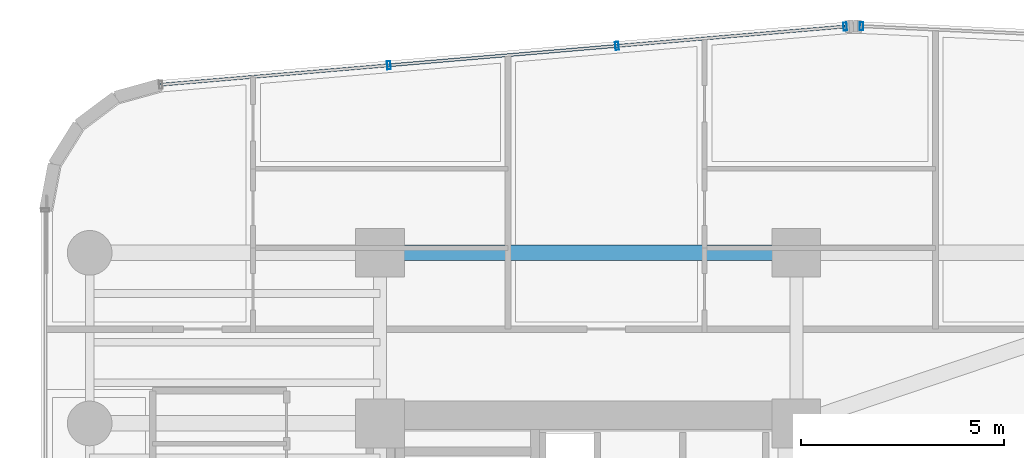
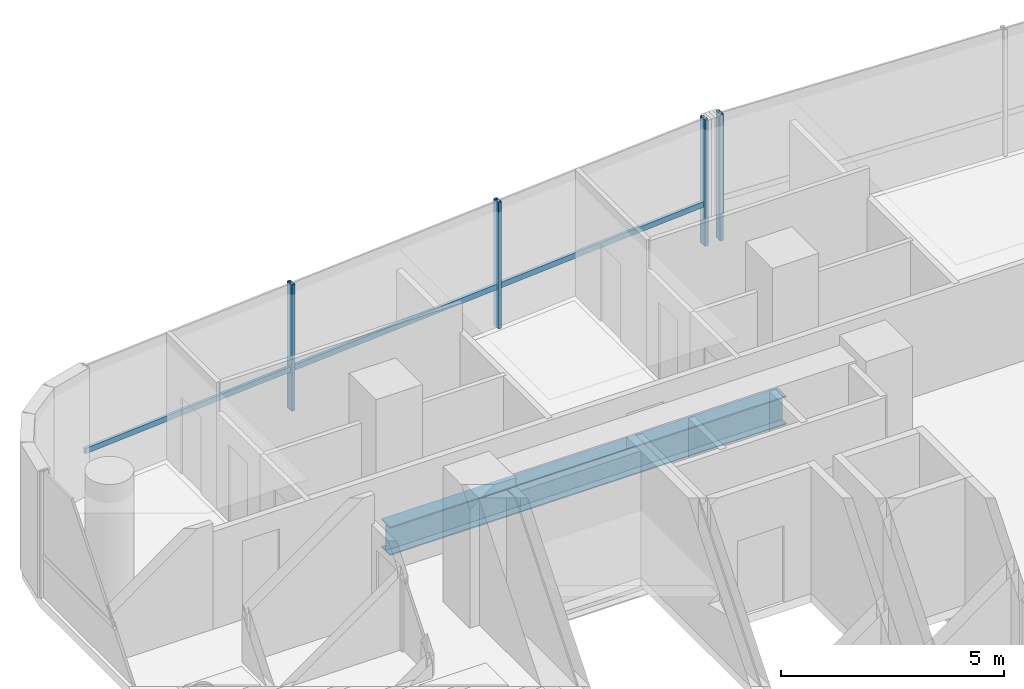
# One storey, part 21 of 38: 5 members, 1 beam, 2 elements without a shape of their own.
"""IFC4 building model written with IfcOpenShell, lengths in metres."""

from ifc_helpers import new_model, si_unit, direction, frame, origin, origin_2d, place, context, subcontext, project, spatial, hollow_rectangle, i_section, extrude, source, transform, mapped, material, material_profile, profile_set, type_object, element, aggregate, save


model = new_model("IFC4")

# Units and contexts
model_context = context("Model", 3, precision=1e-05, world=origin(), true_north=direction((0.0, 1.0)))
body_context = subcontext(model_context, "Body", "Model", "MODEL_VIEW")
ifc_project = project(units=[si_unit("LENGTHUNIT", "METRE"), si_unit("AREAUNIT", "SQUARE_METRE"), si_unit("VOLUMEUNIT", "CUBIC_METRE"), si_unit("PLANEANGLEUNIT", "RADIAN"), si_unit("MASSUNIT", "GRAM", prefix="KILO")], contexts=[model_context])

# Site, building, storey
site_placement = place(None, origin())
site = spatial("IfcSite", under=ifc_project, at=site_placement, CompositionType="ELEMENT")
building_placement = place(site_placement, origin())
building = spatial("IfcBuilding", under=site, at=building_placement, Name="Valdorenza Pilgrim Sanctuary Tower", CompositionType="ELEMENT")
storey_placement = place(building_placement, frame((0.0, 0.0, 131.60009765625)))
storey = spatial("IfcBuildingStorey", under=building, at=storey_placement, Name="L33", CompositionType="ELEMENT", Elevation=131.60009765625)

# Beam
ifc_material_1 = material(Name="Steel ASTM A992 Grade 50", Category="steel")
ifc_material_profile_1 = material_profile(ifc_material_1, i_section(OverallWidth=0.382080078125, OverallDepth=0.779052734375, WebThickness=0.01806640625, FlangeThickness=0.030029296875, at=origin_2d()), Name="W30X191")
ifc_profile_set_1 = profile_set([ifc_material_profile_1], Name="Steel ASTM A992 Grade 50")
beam_type = type_object("IfcBeamType", Name="STR-BM-GRD-W30", PredefinedType="BEAM", material=ifc_profile_set_1)
shared_shape_1 = source(origin(), body_context, "Body", "SweptSolid", [
    extrude(i_section(OverallWidth=0.382080078125, OverallDepth=0.779052734375, WebThickness=0.01806640625, FlangeThickness=0.030029296875, at=origin_2d()), origin(), (0.0, 0.0, 1.0), 10.25),
])
beam_placement = place(storey_placement, frame((-22.64990234375, 14.800048828125, -0.629638671875), z_axis=(1.0, 0.0, 0.0), x_axis=(0.0, 1.0, 0.0)))
element("IfcBeam", 1, at=beam_placement, inside=storey, type_object=beam_type, Name="L33 Floor Girder CA-XC-N2", PredefinedType="BEAM", context=body_context, shape_type="MappedRepresentation", body=[
    mapped(shared_shape_1, transform((0.0, 0.0, 0.0), x_axis=(1.0, 0.0, 0.0), y_axis=(0.0, 1.0, 0.0), z_axis=(0.0, 0.0, 1.0), scale=1.0)),
])

# Curtain wall, members
ifc_material_2 = material(Name="Curtain-wall IGU glazing", Category="glass")
curtain_wall_type = type_object("IfcCurtainWallType", Name="CW-SYS-02", PredefinedType="NOTDEFINED", material=ifc_material_2)
curtain_wall_1_placement = place(storey_placement, origin())
curtain_wall_1 = element("IfcCurtainWall", 2, at=curtain_wall_1_placement, inside=storey, type_object=curtain_wall_type, Name="L33 Curtain Wall CW-L33-1-6", PredefinedType="NOTDEFINED")
ifc_material_3 = material(Name="Anodised aluminium AW-6060", Category="aluminium")
ifc_material_profile_2 = material_profile(ifc_material_3, hollow_rectangle(XDim=0.0849609375, YDim=0.199951171875, WallThickness=0.0048828125, at=origin_2d()), Name="ALU-M 200x85x5")
ifc_profile_set_2 = profile_set([ifc_material_profile_2], Name="Anodised aluminium AW-6060")
member_type_1 = type_object("IfcMemberType", Name="CW-MUL-02", PredefinedType="MULLION", material=ifc_profile_set_2)
shared_shape_2 = source(origin(), body_context, "Body", "SweptSolid", [
    extrude(hollow_rectangle(XDim=0.0849609375, YDim=0.199951171875, WallThickness=0.0048828125, at=origin_2d()), origin(), (0.0, 0.0, 1.0), 3.4599609375),
])
member_1_placement = place(storey_placement, frame((-22.43408203125, 19.417724609375, 0.0), z_axis=(0.0, 0.0, 1.0), x_axis=(0.99640764237, 0.084686541006, 0.0)))
member_1 = element("IfcMember", 3, at=member_1_placement, type_object=member_type_1, Name="CW-L33-1-6 Mullion 2", PredefinedType="MULLION", context=body_context, shape_type="MappedRepresentation", body=[
    mapped(shared_shape_2, transform((0.0, 0.0, 0.0), x_axis=(1.0, 0.0, 0.0), y_axis=(0.0, 1.0, 0.0), z_axis=(0.0, 0.0, 1.0), scale=1.0)),
])
member_2_placement = place(storey_placement, frame((-16.81689453125, 19.895263671875, 0.0), z_axis=(0.0, 0.0, 1.0), x_axis=(0.99640764237, 0.084686541006, 0.0)))
member_2 = element("IfcMember", 4, at=member_2_placement, type_object=member_type_1, Name="CW-L33-1-6 Mullion 3", PredefinedType="MULLION", context=body_context, shape_type="MappedRepresentation", body=[
    mapped(shared_shape_2, transform((0.0, 0.0, 0.0), x_axis=(1.0, 0.0, 0.0), y_axis=(0.0, 1.0, 0.0), z_axis=(0.0, 0.0, 1.0), scale=1.0)),
])
member_3_placement = place(storey_placement, frame((-11.199462890625, 20.37255859375, 0.0), z_axis=(0.0, 0.0, 1.0), x_axis=(0.99640764237, 0.084686541006, 0.0)))
member_3 = element("IfcMember", 5, at=member_3_placement, type_object=member_type_1, Name="CW-L33-1-6 Mullion 4", PredefinedType="MULLION", context=body_context, shape_type="MappedRepresentation", body=[
    mapped(shared_shape_2, transform((0.0, 0.0, 0.0), x_axis=(1.0, 0.0, 0.0), y_axis=(0.0, 1.0, 0.0), z_axis=(0.0, 0.0, 1.0), scale=1.0)),
])

# Curtain wall, member
curtain_wall_2_placement = place(storey_placement, origin())
curtain_wall_2 = element("IfcCurtainWall", 6, at=curtain_wall_2_placement, inside=storey, type_object=curtain_wall_type, Name="L33 Curtain Wall CW-L33-1-11", PredefinedType="NOTDEFINED")
member_4_placement = place(storey_placement, frame((-10.795654296875, 20.380615234375, 0.0), z_axis=(0.0, 0.0, 1.0), x_axis=(0.998968193221, -0.045415294044, 0.0)))
member_4 = element("IfcMember", 7, at=member_4_placement, type_object=member_type_1, Name="CW-L33-1-11 Mullion 1", PredefinedType="MULLION", context=body_context, shape_type="MappedRepresentation", body=[
    mapped(shared_shape_2, transform((0.0, 0.0, 0.0), x_axis=(1.0, 0.0, 0.0), y_axis=(0.0, 1.0, 0.0), z_axis=(0.0, 0.0, 1.0), scale=1.0)),
])
aggregate(curtain_wall_2, [member_4])

# Member
ifc_material_profile_3 = material_profile(ifc_material_3, hollow_rectangle(XDim=0.074951171875, YDim=0.14990234375, WallThickness=0.00390625, at=origin_2d()), Name="ALU-T 150x75x4")
ifc_profile_set_3 = profile_set([ifc_material_profile_3], Name="Anodised aluminium AW-6060")
member_type_2 = type_object("IfcMemberType", Name="CW-TRN-02", PredefinedType="USERDEFINED", material=ifc_profile_set_3)
shared_shape_3 = source(origin(), body_context, "Body", "SweptSolid", [
    extrude(hollow_rectangle(XDim=0.074951171875, YDim=0.14990234375, WallThickness=0.00390625, at=origin_2d()), origin(), (0.0, 0.0, 1.0), 16.912841796875),
])
member_5_placement = place(storey_placement, frame((-28.051513671875, 18.940185546875, 1.119873046875), z_axis=(0.996407213932, 0.084691581783, 0.0), x_axis=(-0.084691581783, 0.996407213932, 0.0)))
member_5 = element("IfcMember", 8, at=member_5_placement, type_object=member_type_2, Name="CW-L33-1-6 Transom 1", ObjectType="TRANSOM", PredefinedType="USERDEFINED", context=body_context, shape_type="MappedRepresentation", body=[
    mapped(shared_shape_3, transform((0.0, 0.0, 0.0), x_axis=(1.0, 0.0, 0.0), y_axis=(0.0, 1.0, 0.0), z_axis=(0.0, 0.0, 1.0), scale=1.0)),
])

aggregate(curtain_wall_1, [member_1, member_2, member_3, member_5])

save(model, "model.ifc")
